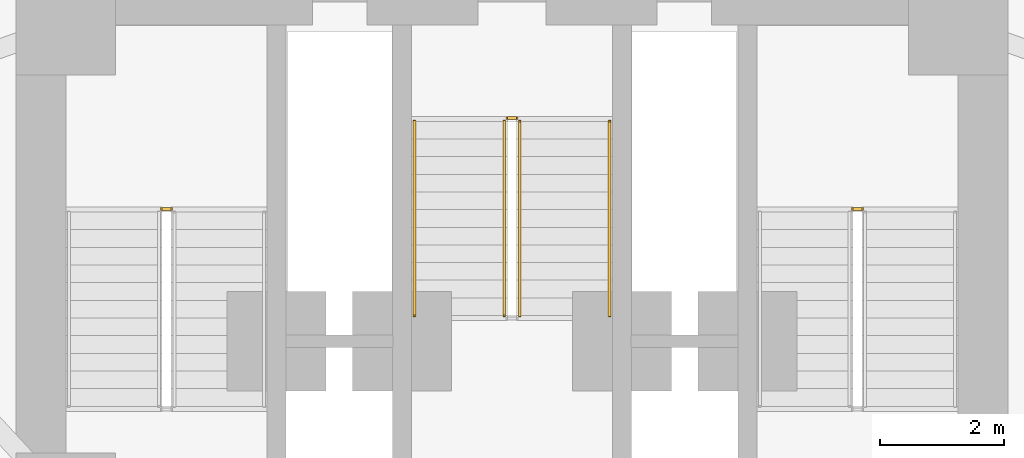
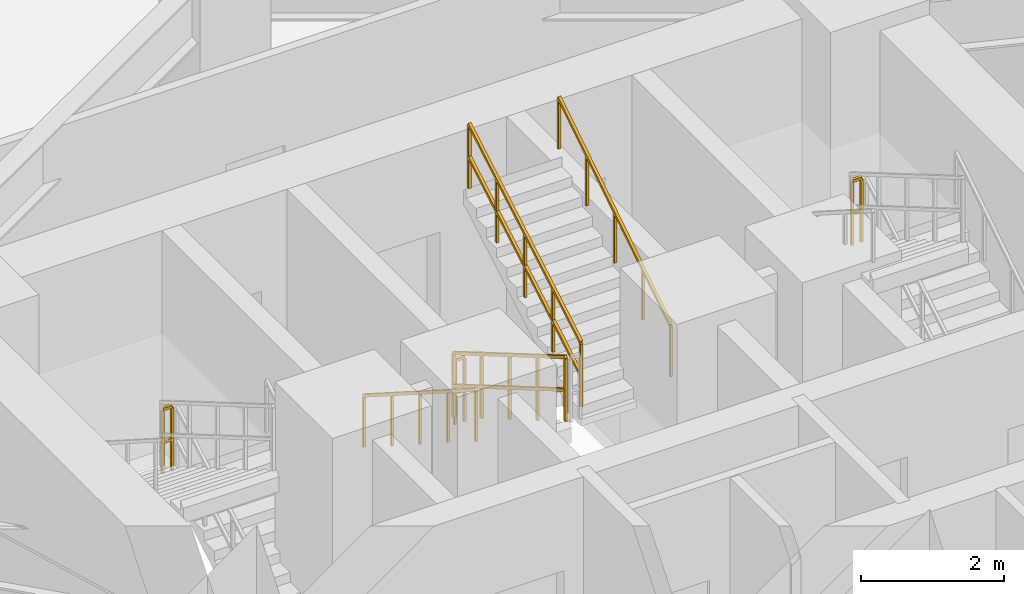
# One storey, part 11 of 12: 7 railings.
"""IFC4 building model written with IfcOpenShell, lengths in metres."""

from ifc_helpers import new_model, si_unit, direction, frame, origin, origin_2d, place, context, subcontext, project, spatial, rectangle, extrude, material, type_object, element, save


model = new_model("IFC4")

# Units and contexts
model_context = context("Model", 3, precision=1e-05, world=origin(), true_north=direction((0.0, 1.0)))
body_context = subcontext(model_context, "Body", "Model", "MODEL_VIEW")
ifc_project = project(units=[si_unit("LENGTHUNIT", "METRE"), si_unit("AREAUNIT", "SQUARE_METRE"), si_unit("VOLUMEUNIT", "CUBIC_METRE"), si_unit("PLANEANGLEUNIT", "RADIAN"), si_unit("MASSUNIT", "GRAM", prefix="KILO")], contexts=[model_context])

# Site, building, storey
site_placement = place(None, origin())
site = spatial("IfcSite", under=ifc_project, at=site_placement, CompositionType="ELEMENT")
building_placement = place(site_placement, origin())
building = spatial("IfcBuilding", under=site, at=building_placement, Name="Apsidion Concourse Tower", CompositionType="ELEMENT")
storey_placement = place(building_placement, frame((0.0, 0.0, 42.39990234375)))
storey = spatial("IfcBuildingStorey", under=building, at=storey_placement, Name="L08", CompositionType="ELEMENT", Elevation=42.39990234375)

# Railings
ifc_material = material(Name="Brushed stainless steel 316", Category="steel")
railing_type_1 = type_object("IfcRailingType", Name="RL-GUARD-1100", PredefinedType="GUARDRAIL", material=ifc_material)
for number, where, name in (
    (1, (-5.5, 6.18505859375, 2.0), "L08 ST1 stair guard 2"),
    (2, (5.64990234375, 6.18505859375, 2.0), "L08 ST2 stair guard 2"),
):
    element("IfcRailing", number, at=place(storey_placement, frame(where)), inside=storey, type_object=railing_type_1, Name=name, PredefinedType="GUARDRAIL", context=body_context, shape_type="SweptSolid", body=[
        extrude(rectangle(XDim=0.048095703125, YDim=0.048095703125, at=origin_2d()), frame((0.0, 0.0, 1.09619140625), z_axis=(-1.0, 0.0, 0.0), x_axis=(0.0, -1.0, 0.0)), (0.0, 0.0, 1.0), 0.14990234375),
        extrude(rectangle(XDim=0.048095703125, YDim=0.048095703125, at=origin_2d()), frame((0.0, 0.0, 0.5361328125), z_axis=(-1.0, 0.0, 0.0), x_axis=(0.0, -1.0, 0.0)), (0.0, 0.0, 1.0), 0.14990234375),
        extrude(rectangle(XDim=0.0419921875, YDim=0.0419921875, at=origin_2d()), origin(), (0.0, 0.0, 1.0), 1.072021484375),
        extrude(rectangle(XDim=0.0419921875, YDim=0.0419921875, at=origin_2d()), frame((-0.14990234375, 0.0, 0.0)), (0.0, 0.0, 1.0), 1.072021484375),
    ])
railing_1_placement = place(storey_placement, frame((-0.125, 7.60009765625, 0.166748046875)))
element("IfcRailing", 3, at=railing_1_placement, inside=storey, type_object=railing_type_1, Name="L08 ST3 stair guard 1", PredefinedType="GUARDRAIL", context=body_context, shape_type="SweptSolid", body=[
    extrude(rectangle(XDim=0.048095703125, YDim=0.048095703125, at=origin_2d()), frame((0.0, 0.0, 1.09619140625), z_axis=(0.0, -0.863239559939, 0.504794475164), x_axis=(1.0, 0.0, 0.0)), (0.0, 0.0, 1.0), 3.631591796875),
    extrude(rectangle(XDim=0.048095703125, YDim=0.048095703125, at=origin_2d()), frame((0.0, 0.0, 0.5361328125), z_axis=(0.0, -0.863239559939, 0.504794475164), x_axis=(1.0, 0.0, 0.0)), (0.0, 0.0, 1.0), 3.631591796875),
    extrude(rectangle(XDim=0.0419921875, YDim=0.0419921875, at=origin_2d()), origin(), (0.0, 0.0, 1.0), 1.072021484375),
    extrude(rectangle(XDim=0.0419921875, YDim=0.0419921875, at=origin_2d()), frame((0.0, -0.78369140625, 0.458251953125)), (0.0, 0.0, 1.0), 1.072021484375),
    extrude(rectangle(XDim=0.0419921875, YDim=0.0419921875, at=origin_2d()), frame((0.0, -1.5673828125, 0.91650390625)), (0.0, 0.0, 1.0), 1.072021484375),
    extrude(rectangle(XDim=0.0419921875, YDim=0.0419921875, at=origin_2d()), frame((0.0, -2.351318359375, 1.375)), (0.0, 0.0, 1.0), 1.072021484375),
    extrude(rectangle(XDim=0.0419921875, YDim=0.0419921875, at=origin_2d()), frame((0.0, -3.135009765625, 1.833251953125)), (0.0, 0.0, 1.0), 1.072021484375),
])
railing_2_placement = place(storey_placement, frame((0.125, 4.465087890625, 2.166748046875)))
element("IfcRailing", 4, at=railing_2_placement, inside=storey, type_object=railing_type_1, Name="L08 ST3 stair guard 3", PredefinedType="GUARDRAIL", context=body_context, shape_type="SweptSolid", body=[
    extrude(rectangle(XDim=0.048095703125, YDim=0.048095703125, at=origin_2d()), frame((0.0, 0.0, 1.09619140625), z_axis=(0.0, 0.863239559939, 0.504794475164), x_axis=(-1.0, 0.0, 0.0)), (0.0, 0.0, 1.0), 3.631591796875),
    extrude(rectangle(XDim=0.048095703125, YDim=0.048095703125, at=origin_2d()), frame((0.0, 0.0, 0.5361328125), z_axis=(0.0, 0.863239559939, 0.504794475164), x_axis=(-1.0, 0.0, 0.0)), (0.0, 0.0, 1.0), 3.631591796875),
    extrude(rectangle(XDim=0.0419921875, YDim=0.0419921875, at=origin_2d()), origin(), (0.0, 0.0, 1.0), 1.072021484375),
    extrude(rectangle(XDim=0.0419921875, YDim=0.0419921875, at=origin_2d()), frame((0.0, 0.78369140625, 0.458251953125)), (0.0, 0.0, 1.0), 1.072021484375),
    extrude(rectangle(XDim=0.0419921875, YDim=0.0419921875, at=origin_2d()), frame((0.0, 1.5673828125, 0.91650390625)), (0.0, 0.0, 1.0), 1.072021484375),
    extrude(rectangle(XDim=0.0419921875, YDim=0.0419921875, at=origin_2d()), frame((0.0, 2.351318359375, 1.375)), (0.0, 0.0, 1.0), 1.072021484375),
    extrude(rectangle(XDim=0.0419921875, YDim=0.0419921875, at=origin_2d()), frame((0.0, 3.135009765625, 1.833251953125)), (0.0, 0.0, 1.0), 1.072021484375),
])
railing_3_placement = place(storey_placement, frame((-0.074951171875, 7.64990234375, 0.0)))
element("IfcRailing", 5, at=railing_3_placement, inside=storey, type_object=railing_type_1, Name="L08 ST3 stair guard 4", PredefinedType="GUARDRAIL", context=body_context, shape_type="SweptSolid", body=[
    extrude(rectangle(XDim=0.048095703125, YDim=0.048095703125, at=origin_2d()), frame((0.0, 0.0, 1.09619140625), z_axis=(1.0, 0.0, 0.0), x_axis=(0.0, 1.0, 0.0)), (0.0, 0.0, 1.0), 0.14990234375),
    extrude(rectangle(XDim=0.048095703125, YDim=0.048095703125, at=origin_2d()), frame((0.0, 0.0, 0.5361328125), z_axis=(1.0, 0.0, 0.0), x_axis=(0.0, 1.0, 0.0)), (0.0, 0.0, 1.0), 0.14990234375),
    extrude(rectangle(XDim=0.0419921875, YDim=0.0419921875, at=origin_2d()), origin(), (0.0, 0.0, 1.0), 1.072021484375),
    extrude(rectangle(XDim=0.0419921875, YDim=0.0419921875, at=origin_2d()), frame((0.14990234375, 0.0, 0.0)), (0.0, 0.0, 1.0), 1.072021484375),
])
railing_type_2 = type_object("IfcRailingType", Name="RL-HAND-900", PredefinedType="HANDRAIL", material=ifc_material)
railing_4_placement = place(storey_placement, frame((-1.574951171875, 7.60009765625, 0.166748046875)))
element("IfcRailing", 6, at=railing_4_placement, inside=storey, type_object=railing_type_2, Name="L08 ST3 stair handrail 1", PredefinedType="HANDRAIL", context=body_context, shape_type="SweptSolid", body=[
    extrude(rectangle(XDim=0.048095703125, YDim=0.048095703125, at=origin_2d()), frame((0.0, 0.0, 0.8759765625), z_axis=(0.0, -0.843052688722, 0.537830980921), x_axis=(1.0, 0.0, 0.0)), (0.0, 0.0, 1.0), 3.71875),
    extrude(rectangle(XDim=0.0419921875, YDim=0.0419921875, at=origin_2d()), origin(), (0.0, 0.0, 1.0), 0.851806640625),
    extrude(rectangle(XDim=0.0419921875, YDim=0.0419921875, at=origin_2d()), frame((0.0, -0.78369140625, 0.5)), (0.0, 0.0, 1.0), 0.851806640625),
    extrude(rectangle(XDim=0.0419921875, YDim=0.0419921875, at=origin_2d()), frame((0.0, -1.5673828125, 1.0)), (0.0, 0.0, 1.0), 0.851806640625),
    extrude(rectangle(XDim=0.0419921875, YDim=0.0419921875, at=origin_2d()), frame((0.0, -2.351318359375, 1.5)), (0.0, 0.0, 1.0), 0.851806640625),
    extrude(rectangle(XDim=0.0419921875, YDim=0.0419921875, at=origin_2d()), frame((0.0, -3.135009765625, 2.0)), (0.0, 0.0, 1.0), 0.851806640625),
])
railing_5_placement = place(storey_placement, frame((1.574951171875, 4.465087890625, 2.166748046875)))
element("IfcRailing", 7, at=railing_5_placement, inside=storey, type_object=railing_type_2, Name="L08 ST3 stair handrail 2", PredefinedType="HANDRAIL", context=body_context, shape_type="SweptSolid", body=[
    extrude(rectangle(XDim=0.048095703125, YDim=0.048095703125, at=origin_2d()), frame((0.0, 0.0, 0.8759765625), z_axis=(0.0, 0.843052688722, 0.537830980921), x_axis=(-1.0, 0.0, 0.0)), (0.0, 0.0, 1.0), 3.71875),
    extrude(rectangle(XDim=0.0419921875, YDim=0.0419921875, at=origin_2d()), origin(), (0.0, 0.0, 1.0), 0.851806640625),
    extrude(rectangle(XDim=0.0419921875, YDim=0.0419921875, at=origin_2d()), frame((0.0, 0.78369140625, 0.5)), (0.0, 0.0, 1.0), 0.851806640625),
    extrude(rectangle(XDim=0.0419921875, YDim=0.0419921875, at=origin_2d()), frame((0.0, 1.5673828125, 1.0)), (0.0, 0.0, 1.0), 0.851806640625),
    extrude(rectangle(XDim=0.0419921875, YDim=0.0419921875, at=origin_2d()), frame((0.0, 2.351318359375, 1.5)), (0.0, 0.0, 1.0), 0.851806640625),
    extrude(rectangle(XDim=0.0419921875, YDim=0.0419921875, at=origin_2d()), frame((0.0, 3.135009765625, 2.0)), (0.0, 0.0, 1.0), 0.851806640625),
])

save(model, "model.ifc")
